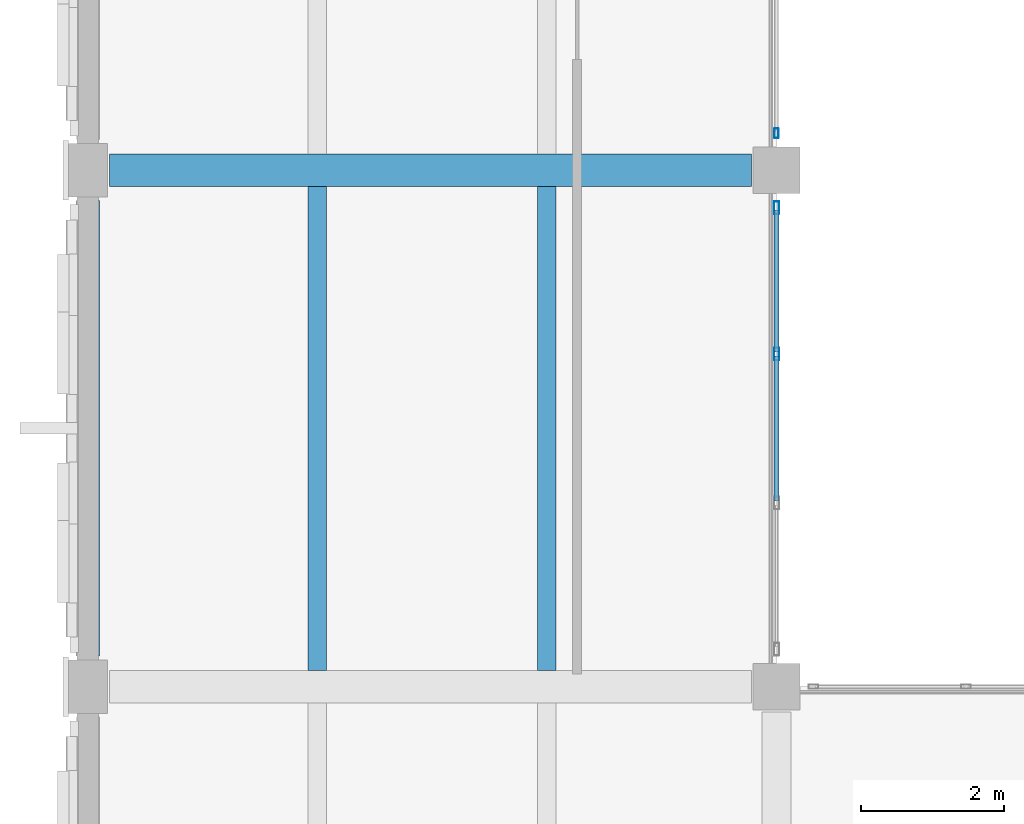
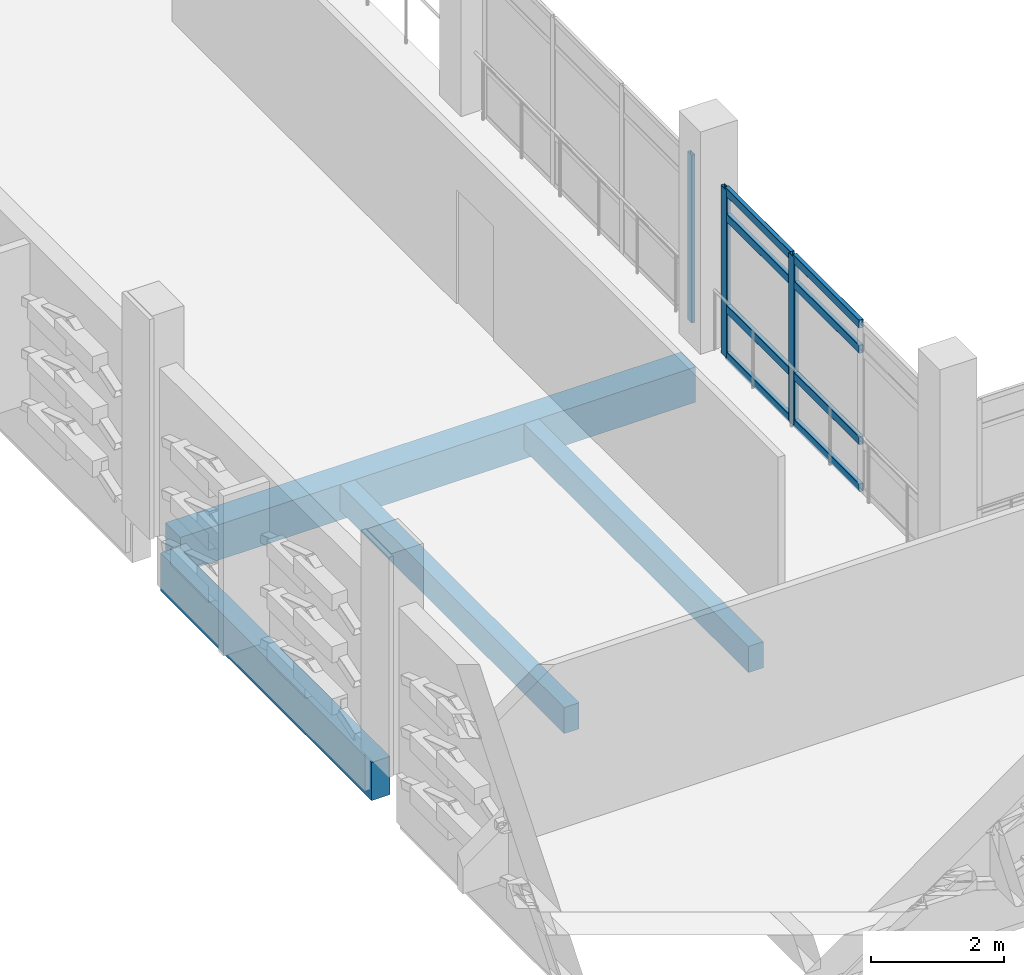
# One storey, part 21 of 72: 11 members, 4 beams, 2 elements without a shape of their own.
"""IFC4 building model written with IfcOpenShell, lengths in metres."""

import ifcopenshell
import ifcopenshell.guid

model = None  # the IFC model being written
_history = None  # IfcOwnerHistory: only IFC2X3 demands one
_inside = {}  # id of a spatial element -> (the spatial element, [elements in it])
_under = {}  # id of a project, library or spatial element -> (it, [spatial elements below it])
_declared = {}  # id of a project -> (the project, [libraries it declares])
_typed = {}  # id of a type object -> (the type object, [elements of that type])
_made_of = {}  # id of a material, layer set ... -> (it, [elements and type objects made of it])


def new_model(schema):
    """Start an empty IFC model of exactly this schema.

    Asked for "IFC4X3", IfcOpenShell would pick the latest addendum, in which some entities
    have other attributes; the version numbers below select the first issue.
    IFC2X3 requires an IfcOwnerHistory on every rooted entity: one is made here for all.
    """
    global model, _history
    if schema == "IFC4X3":
        model = ifcopenshell.file(schema_version=(4, 3, 0, 0))
    else:
        model = ifcopenshell.file(schema=schema)
    _inside.clear()
    _under.clear()
    _declared.clear()
    _typed.clear()
    _made_of.clear()
    _history = None
    if model.schema == "IFC2X3":
        org = make("IfcOrganization", Name="unknown")
        user = make(
            "IfcPersonAndOrganization",
            ThePerson=make("IfcPerson", FamilyName="unknown"),
            TheOrganization=org,
        )
        app = make(
            "IfcApplication",
            ApplicationDeveloper=org,
            Version="unknown",
            ApplicationFullName="unknown",
            ApplicationIdentifier="unknown",
        )
        _history = make(
            "IfcOwnerHistory",
            OwningUser=user,
            OwningApplication=app,
            ChangeAction="ADDED",
            CreationDate=0,
        )
    return model


def make(cls, **values):
    """One entity of the class cls with the attributes given. An attribute that is None is left unset."""
    return model.create_entity(
        cls, **{name: value for name, value in values.items() if value is not None}
    )


def rooted(cls, **values):
    """An entity with a GlobalId (a new one), such as an element, a storey or a relation."""
    return make(cls, GlobalId=ifcopenshell.guid.new(), OwnerHistory=_history, **values)


def si_unit(unit_type, name, prefix=None):
    """IfcSIUnit, for example si_unit("LENGTHUNIT", "METRE", prefix="MILLI")."""
    return make("IfcSIUnit", UnitType=unit_type, Prefix=prefix, Name=name)


def assignment(units):
    """IfcUnitAssignment: the units of a project."""
    return None if units is None else make("IfcUnitAssignment", Units=units)


def point(xyz):
    """IfcCartesianPoint."""
    return None if xyz is None else make("IfcCartesianPoint", Coordinates=xyz)


def direction(xyz):
    """IfcDirection."""
    return None if xyz is None else make("IfcDirection", DirectionRatios=xyz)


def frame(location, z_axis=None, x_axis=None):
    """IfcAxis2Placement3D, a coordinate frame: its origin and axes. An axis left out is left unset."""
    return make(
        "IfcAxis2Placement3D",
        Location=point(location),
        Axis=direction(z_axis),
        RefDirection=direction(x_axis),
    )


def frame_2d(location, x_axis=None):
    """IfcAxis2Placement2D, a coordinate frame in the plane: its origin and x axis."""
    return make(
        "IfcAxis2Placement2D", Location=point(location), RefDirection=direction(x_axis)
    )


def origin():
    """The frame at (0, 0, 0) with its axes left unset."""
    return frame((0.0, 0.0, 0.0))


def origin_2d():
    """The frame at (0, 0) in the plane with its x axis left unset."""
    return frame_2d((0.0, 0.0))


def place(relative_to, where):
    """IfcLocalPlacement: puts the frame where relative to a parent placement (None: the world)."""
    return make(
        "IfcLocalPlacement", PlacementRelTo=relative_to, RelativePlacement=where
    )


def context(
    kind, dimensions, precision=None, world=None, true_north=None, identifier=None
):
    """IfcGeometricRepresentationContext, for example the 3D "Model" context."""
    return make(
        "IfcGeometricRepresentationContext",
        ContextIdentifier=identifier,
        ContextType=kind,
        CoordinateSpaceDimension=dimensions,
        Precision=precision,
        WorldCoordinateSystem=world,
        TrueNorth=true_north,
    )


def subcontext(parent, identifier, kind, view, scale=None):
    """IfcGeometricRepresentationSubContext, for example "Body" below "Model"."""
    return make(
        "IfcGeometricRepresentationSubContext",
        ContextIdentifier=identifier,
        ContextType=kind,
        ParentContext=parent,
        TargetScale=scale,
        TargetView=view,
    )


def project(units=None, contexts=None):
    """IfcProject with its units and contexts."""
    return rooted(
        "IfcProject",
        Name="project",
        RepresentationContexts=contexts,
        UnitsInContext=assignment(units),
    )


def spatial(cls, under=None, at=None, **own):
    """A site, building, storey or space (cls), placed at a placement, below another one or the project."""
    s = rooted(cls, ObjectPlacement=at, **own)
    if under is not None:
        _under.setdefault(under.id(), (under, []))[1].append(s)
    return s


def profile(cls, at=None, kind="AREA", **sizes):
    """A parametric profile (cls). Its sizes go by their IFC names, for example OverallWidth=200.0."""
    return make(cls, ProfileType=kind, Position=at, **sizes)


def rectangle(**sizes):
    """IfcRectangleProfileDef."""
    return profile("IfcRectangleProfileDef", **sizes)


def hollow_rectangle(**sizes):
    """IfcRectangleHollowProfileDef."""
    return profile("IfcRectangleHollowProfileDef", **sizes)


def extrude(swept, where, along, depth):
    """IfcExtrudedAreaSolid: the profile swept, set in the frame where, extruded along a direction by depth."""
    return make(
        "IfcExtrudedAreaSolid",
        SweptArea=swept,
        Position=where,
        ExtrudedDirection=direction(along),
        Depth=depth,
    )


def shape(context_of_items, identifier, shape_type, items):
    """IfcShapeRepresentation: the items that make up one representation, for example the "Body"."""
    return make(
        "IfcShapeRepresentation",
        ContextOfItems=context_of_items,
        RepresentationIdentifier=identifier,
        RepresentationType=shape_type,
        Items=items,
    )


def material(Name=None, Category=None):
    """IfcMaterial."""
    return make("IfcMaterial", Name=Name, Category=Category)


def layer(
    of_material, thickness, ventilated=None, Name=None, Category=None, Priority=None
):
    """IfcMaterialLayer: one layer of a wall or slab, of a material (None: an air gap)."""
    return make(
        "IfcMaterialLayer",
        Material=of_material,
        LayerThickness=thickness,
        IsVentilated=ventilated,
        Name=Name,
        Category=Category,
        Priority=Priority,
    )


def layer_set(layers, Name=None):
    """IfcMaterialLayerSet."""
    return make("IfcMaterialLayerSet", MaterialLayers=layers, LayerSetName=Name)


def material_profile(
    of_material, cross_section, Name=None, Category=None, Priority=None
):
    """IfcMaterialProfile: a cross section and its material."""
    return make(
        "IfcMaterialProfile",
        Name=Name,
        Material=of_material,
        Profile=cross_section,
        Priority=Priority,
        Category=Category,
    )


def profile_set(profiles, Name=None, composite=None):
    """IfcMaterialProfileSet."""
    return make(
        "IfcMaterialProfileSet",
        Name=Name,
        MaterialProfiles=profiles,
        CompositeProfile=composite,
    )


def made_of(thing, what):
    """Note that an element or type object is made of a material, layer set ...; save() writes the relation."""
    if what is not None:
        _made_of.setdefault(what.id(), (what, []))[1].append(thing)
    return thing


def type_object(cls, material=None, **own):
    """A type object (cls), such as IfcWallType, which elements share."""
    return made_of(rooted(cls, **own), material)


def element(
    cls,
    number,
    at=None,
    inside=None,
    cuts=None,
    type_object=None,
    material=None,
    context=None,
    identifier="Body",
    shape_type=None,
    held_by="IfcProductDefinitionShape",
    body=None,
    shapes=None,
    **own,
):
    """One element of the class cls, such as IfcWall. Its Tag is "e" and its number.

    at: its placement. inside: the storey or other place that contains it. cuts: it is an
    opening in that element (IfcRelVoidsElement). A single representation is given by context,
    identifier, shape_type and body (its items); several are given by shapes. held_by: the class
    of the entity that holds the representations. save() writes the other relations.
    """
    e = rooted(cls, Tag="e%d" % number, ObjectPlacement=at, **own)
    if body is not None:
        shapes = [shape(context, identifier, shape_type, body)]
    if shapes is not None:
        e.Representation = make(held_by, Representations=shapes)
    if inside is not None:
        _inside.setdefault(inside.id(), (inside, []))[1].append(e)
    if cuts is not None:
        rooted(
            "IfcRelVoidsElement", RelatingBuildingElement=cuts, RelatedOpeningElement=e
        )
    if type_object is not None:
        _typed.setdefault(type_object.id(), (type_object, []))[1].append(e)
    return made_of(e, material)


def aggregate(whole, parts):
    """IfcRelAggregates: a whole, such as a stair, and the parts it consists of."""
    return rooted("IfcRelAggregates", RelatingObject=whole, RelatedObjects=parts)


def save(model, path):
    """Write the relations noted so far, then the file.

    IfcRelAggregates (storeys below a building ...), IfcRelContainedInSpatialStructure (elements
    in a storey), IfcRelDefinesByType, IfcRelAssociatesMaterial and IfcRelDeclares: one each for
    every whole, place, type object, material and project.
    """
    for whole, parts in _under.values():
        aggregate(whole, parts)
    for where, things in _inside.values():
        rooted(
            "IfcRelContainedInSpatialStructure",
            RelatedElements=things,
            RelatingStructure=where,
        )
    for kind, things in _typed.values():
        rooted("IfcRelDefinesByType", RelatedObjects=things, RelatingType=kind)
    for what, things in _made_of.values():
        rooted("IfcRelAssociatesMaterial", RelatedObjects=things, RelatingMaterial=what)
    for by, libraries in _declared.values():
        rooted("IfcRelDeclares", RelatingContext=by, RelatedDefinitions=libraries)
    model.write(path)


model = new_model("IFC4")

# Units and contexts
model_context = context("Model", 3, precision=1e-05, world=origin(), true_north=direction((0.0, 1.0)))
body_context = subcontext(model_context, "Body", "Model", "MODEL_VIEW")
ifc_project = project(units=[si_unit("LENGTHUNIT", "METRE"), si_unit("AREAUNIT", "SQUARE_METRE"), si_unit("VOLUMEUNIT", "CUBIC_METRE"), si_unit("PLANEANGLEUNIT", "RADIAN"), si_unit("MASSUNIT", "GRAM", prefix="KILO")], contexts=[model_context])

# Site, building, storey
site_placement = place(None, origin())
site = spatial("IfcSite", under=ifc_project, at=site_placement, CompositionType="ELEMENT")
building_placement = place(site_placement, origin())
building = spatial("IfcBuilding", under=site, at=building_placement, Name="Asteropetra Specialist Clinic", CompositionType="ELEMENT")
storey_placement = place(building_placement, frame((0.0, 0.0, 12.580078125)))
storey = spatial("IfcBuildingStorey", under=building, at=storey_placement, Name="L03", CompositionType="ELEMENT", Elevation=12.580078125)

# Beam
ifc_material_1 = material(Name="Concrete C35/45", Category="concrete")
ifc_material_profile_1 = material_profile(ifc_material_1, rectangle(XDim=0.449951171875, YDim=0.64990234375, at=origin_2d()), Name="RCB 450x650")
ifc_profile_set_1 = profile_set([ifc_material_profile_1], Name="Concrete C35/45")
beam_type_1 = type_object("IfcBeamType", Name="BM-RC450x650", PredefinedType="BEAM", material=ifc_profile_set_1)
beam_1_placement = place(storey_placement, frame((0.300048828125, 84.0, -0.60498046875), z_axis=(1.0, 0.0, 0.0), x_axis=(0.0, 1.0, 0.0)))
element("IfcBeam", 1, at=beam_1_placement, inside=storey, type_object=beam_type_1, Name="Beam BBM06-1575", PredefinedType="BEAM", context=body_context, shape_type="SweptSolid", body=[
    extrude(rectangle(XDim=0.449951171875, YDim=0.64990234375, at=origin_2d()), origin(), (0.0, 0.0, 1.0), 8.949951171875),
])

# Curtain wall, member
ifc_material_2 = material(Name="Aluminium and low-E glass", Category="aluminium")
ifc_layer_1 = layer(ifc_material_2, 0.14990234375)
ifc_layer_set_1 = layer_set([ifc_layer_1], Name="Aluminium and low-E glass")
curtain_wall_type_1 = type_object("IfcCurtainWallType", Name="CW-SYS-05", PredefinedType="USERDEFINED", material=ifc_layer_set_1)
curtain_wall_1_placement = place(storey_placement, origin())
curtain_wall_1 = element("IfcCurtainWall", 2, at=curtain_wall_1_placement, inside=storey, type_object=curtain_wall_type_1, Name="Curtain Wall CW-047", ObjectType="UNITISED CURTAIN WALL", PredefinedType="USERDEFINED")
ifc_material_3 = material(Name="Aluminium 6063-T6", Category="aluminium")
ifc_material_profile_2 = material_profile(ifc_material_3, hollow_rectangle(XDim=0.06005859375, YDim=0.135009765625, WallThickness=0.00341796875, InnerFilletRadius=0.00341796875, OuterFilletRadius=0.007080078125, at=origin_2d()), Name="MUL 135x60x3.5")
ifc_profile_set_2 = profile_set([ifc_material_profile_2], Name="Aluminium 6063-T6")
member_type_1 = type_object("IfcMemberType", Name="CWM-135x60", PredefinedType="MULLION", material=ifc_profile_set_2)
member_1_placement = place(storey_placement, frame((9.60009765625, 84.514892578125, 0.0), z_axis=(0.0, 0.0, 1.0), x_axis=(1.0, 0.0, 0.0)))
member_1 = element("IfcMember", 3, at=member_1_placement, type_object=member_type_1, Name="CW-047 mullion 4", PredefinedType="MULLION", context=body_context, shape_type="SweptSolid", body=[
    extrude(hollow_rectangle(XDim=0.06005859375, YDim=0.135009765625, WallThickness=0.00341796875, InnerFilletRadius=0.00341796875, OuterFilletRadius=0.007080078125, at=origin_2d()), origin(), (0.0, 0.0, 1.0), 3.079833984375),
])
aggregate(curtain_wall_1, [member_1])

# Curtain wall, members
ifc_material_4 = material(Name="Aluminium and low-E glass", Category="aluminium")
ifc_layer_2 = layer(ifc_material_4, 0.179931640625)
ifc_layer_set_2 = layer_set([ifc_layer_2], Name="Aluminium and low-E glass")
curtain_wall_type_2 = type_object("IfcCurtainWallType", Name="CW-SYS-04", PredefinedType="USERDEFINED", material=ifc_layer_set_2)
curtain_wall_2_placement = place(storey_placement, origin())
curtain_wall_2 = element("IfcCurtainWall", 4, at=curtain_wall_2_placement, inside=storey, type_object=curtain_wall_type_2, Name="Curtain Wall CW-045", ObjectType="UNITISED CURTAIN WALL", PredefinedType="USERDEFINED")
ifc_material_5 = material(Name="Aluminium 6063-T6", Category="aluminium")
ifc_material_profile_3 = material_profile(ifc_material_5, hollow_rectangle(XDim=0.074951171875, YDim=0.179931640625, WallThickness=0.00390625, InnerFilletRadius=0.00390625, OuterFilletRadius=0.008056640625, at=origin_2d()), Name="MUL 180x75x4.0")
ifc_profile_set_3 = profile_set([ifc_material_profile_3], Name="Aluminium 6063-T6")
member_type_2 = type_object("IfcMemberType", Name="CWM-180x75", PredefinedType="MULLION", material=ifc_profile_set_3)
member_2_placement = place(storey_placement, frame((9.60009765625, 83.4775390625, 0.0), z_axis=(0.0, 0.0, 1.0), x_axis=(1.0, 0.0, 0.0)))
member_2 = element("IfcMember", 5, at=member_2_placement, type_object=member_type_2, Name="CW-045 mullion 1", PredefinedType="MULLION", context=body_context, shape_type="SweptSolid", body=[
    extrude(hollow_rectangle(XDim=0.074951171875, YDim=0.179931640625, WallThickness=0.00390625, InnerFilletRadius=0.00390625, OuterFilletRadius=0.008056640625, at=origin_2d()), origin(), (0.0, 0.0, 1.0), 3.079833984375),
])
member_3_placement = place(storey_placement, frame((9.60009765625, 81.438232421875, 0.0), z_axis=(0.0, 0.0, 1.0), x_axis=(1.0, 0.0, 0.0)))
member_3 = element("IfcMember", 6, at=member_3_placement, type_object=member_type_2, Name="CW-045 mullion 2", PredefinedType="MULLION", context=body_context, shape_type="SweptSolid", body=[
    extrude(hollow_rectangle(XDim=0.074951171875, YDim=0.179931640625, WallThickness=0.00390625, InnerFilletRadius=0.00390625, OuterFilletRadius=0.008056640625, at=origin_2d()), origin(), (0.0, 0.0, 1.0), 3.079833984375),
])
ifc_material_6 = material(Name="Aluminium 6063-T6", Category="aluminium")
ifc_material_profile_4 = material_profile(ifc_material_6, hollow_rectangle(XDim=0.074951171875, YDim=0.14990234375, WallThickness=0.00390625, InnerFilletRadius=0.00390625, OuterFilletRadius=0.008056640625, at=origin_2d()), Name="TRN 150x75x4.0")
ifc_profile_set_4 = profile_set([ifc_material_profile_4], Name="Aluminium 6063-T6")
member_type_3 = type_object("IfcMemberType", Name="CWT-150x75", PredefinedType="USERDEFINED", material=ifc_profile_set_4)
member_4_placement = place(storey_placement, frame((9.60009765625, 83.43994140625, 0.037353515625), z_axis=(0.0, -1.0, 0.0), x_axis=(1.0, 0.0, 0.0)))
member_4 = element("IfcMember", 7, at=member_4_placement, type_object=member_type_3, Name="CW-045 transom 1.1", ObjectType="TRANSOM", PredefinedType="USERDEFINED", context=body_context, shape_type="SweptSolid", body=[
    extrude(hollow_rectangle(XDim=0.074951171875, YDim=0.14990234375, WallThickness=0.00390625, InnerFilletRadius=0.00390625, OuterFilletRadius=0.008056640625, at=origin_2d()), origin(), (0.0, 0.0, 1.0), 1.964111328125),
])
member_5_placement = place(storey_placement, frame((9.60009765625, 83.43994140625, 0.89990234375), z_axis=(0.0, -1.0, 0.0), x_axis=(1.0, 0.0, 0.0)))
member_5 = element("IfcMember", 8, at=member_5_placement, type_object=member_type_3, Name="CW-045 transom 1.2", ObjectType="TRANSOM", PredefinedType="USERDEFINED", context=body_context, shape_type="SweptSolid", body=[
    extrude(hollow_rectangle(XDim=0.074951171875, YDim=0.14990234375, WallThickness=0.00390625, InnerFilletRadius=0.00390625, OuterFilletRadius=0.008056640625, at=origin_2d()), origin(), (0.0, 0.0, 1.0), 1.964111328125),
])
member_6_placement = place(storey_placement, frame((9.60009765625, 83.43994140625, 2.579833984375), z_axis=(0.0, -1.0, 0.0), x_axis=(1.0, 0.0, 0.0)))
member_6 = element("IfcMember", 9, at=member_6_placement, type_object=member_type_3, Name="CW-045 transom 1.3", ObjectType="TRANSOM", PredefinedType="USERDEFINED", context=body_context, shape_type="SweptSolid", body=[
    extrude(hollow_rectangle(XDim=0.074951171875, YDim=0.14990234375, WallThickness=0.00390625, InnerFilletRadius=0.00390625, OuterFilletRadius=0.008056640625, at=origin_2d()), origin(), (0.0, 0.0, 1.0), 1.964111328125),
])
member_7_placement = place(storey_placement, frame((9.60009765625, 83.43994140625, 3.04248046875), z_axis=(0.0, -1.0, 0.0), x_axis=(1.0, 0.0, 0.0)))
member_7 = element("IfcMember", 10, at=member_7_placement, type_object=member_type_3, Name="CW-045 transom 1.4", ObjectType="TRANSOM", PredefinedType="USERDEFINED", context=body_context, shape_type="SweptSolid", body=[
    extrude(hollow_rectangle(XDim=0.074951171875, YDim=0.14990234375, WallThickness=0.00390625, InnerFilletRadius=0.00390625, OuterFilletRadius=0.008056640625, at=origin_2d()), origin(), (0.0, 0.0, 1.0), 1.964111328125),
])
member_8_placement = place(storey_placement, frame((9.60009765625, 81.40087890625, 0.037353515625), z_axis=(0.0, -1.0, 0.0), x_axis=(1.0, 0.0, 0.0)))
member_8 = element("IfcMember", 11, at=member_8_placement, type_object=member_type_3, Name="CW-045 transom 2.1", ObjectType="TRANSOM", PredefinedType="USERDEFINED", context=body_context, shape_type="SweptSolid", body=[
    extrude(hollow_rectangle(XDim=0.074951171875, YDim=0.14990234375, WallThickness=0.00390625, InnerFilletRadius=0.00390625, OuterFilletRadius=0.008056640625, at=origin_2d()), origin(), (0.0, 0.0, 1.0), 2.001708984375),
])
member_9_placement = place(storey_placement, frame((9.60009765625, 81.40087890625, 0.89990234375), z_axis=(0.0, -1.0, 0.0), x_axis=(1.0, 0.0, 0.0)))
member_9 = element("IfcMember", 12, at=member_9_placement, type_object=member_type_3, Name="CW-045 transom 2.2", ObjectType="TRANSOM", PredefinedType="USERDEFINED", context=body_context, shape_type="SweptSolid", body=[
    extrude(hollow_rectangle(XDim=0.074951171875, YDim=0.14990234375, WallThickness=0.00390625, InnerFilletRadius=0.00390625, OuterFilletRadius=0.008056640625, at=origin_2d()), origin(), (0.0, 0.0, 1.0), 2.001708984375),
])
member_10_placement = place(storey_placement, frame((9.60009765625, 81.40087890625, 2.579833984375), z_axis=(0.0, -1.0, 0.0), x_axis=(1.0, 0.0, 0.0)))
member_10 = element("IfcMember", 13, at=member_10_placement, type_object=member_type_3, Name="CW-045 transom 2.3", ObjectType="TRANSOM", PredefinedType="USERDEFINED", context=body_context, shape_type="SweptSolid", body=[
    extrude(hollow_rectangle(XDim=0.074951171875, YDim=0.14990234375, WallThickness=0.00390625, InnerFilletRadius=0.00390625, OuterFilletRadius=0.008056640625, at=origin_2d()), origin(), (0.0, 0.0, 1.0), 2.001708984375),
])
member_11_placement = place(storey_placement, frame((9.60009765625, 81.40087890625, 3.04248046875), z_axis=(0.0, -1.0, 0.0), x_axis=(1.0, 0.0, 0.0)))
member_11 = element("IfcMember", 14, at=member_11_placement, type_object=member_type_3, Name="CW-045 transom 2.4", ObjectType="TRANSOM", PredefinedType="USERDEFINED", context=body_context, shape_type="SweptSolid", body=[
    extrude(hollow_rectangle(XDim=0.074951171875, YDim=0.14990234375, WallThickness=0.00390625, InnerFilletRadius=0.00390625, OuterFilletRadius=0.008056640625, at=origin_2d()), origin(), (0.0, 0.0, 1.0), 2.001708984375),
])
aggregate(curtain_wall_2, [member_2, member_3, member_4, member_5, member_6, member_7, member_8, member_9, member_10, member_11])

# Beams
ifc_material_7 = material(Name="Concrete C35/45", Category="concrete")
ifc_material_profile_5 = material_profile(ifc_material_7, rectangle(XDim=0.260009765625, YDim=0.47998046875, at=origin_2d()), Name="RCJ 260x480")
ifc_profile_set_5 = profile_set([ifc_material_profile_5], Name="Concrete C35/45")
beam_type_2 = type_object("IfcBeamType", Name="JST-RC260x480", PredefinedType="JOIST", material=ifc_profile_set_5)
for number, where, z_axis, x_axis, name in (
    (15, (3.199951171875, 77.02490234375, -0.52001953125), (0.0, 1.0, 0.0), (-1.0, 0.0, 0.0), "Joist JJST02-1609"),
    (16, (6.39990234375, 77.02490234375, -0.52001953125), (0.0, 1.0, 0.0), (-1.0, 0.0, 0.0), "Joist JJST02-1610"),
):
    element("IfcBeam", number, at=place(storey_placement, frame(where, z_axis=z_axis, x_axis=x_axis)), inside=storey, type_object=beam_type_2, Name=name, PredefinedType="JOIST", context=body_context, shape_type="SweptSolid", body=[
        extrude(rectangle(XDim=0.260009765625, YDim=0.47998046875, at=origin_2d()), origin(), (0.0, 0.0, 1.0), 6.75),
    ])
ifc_material_8 = material(Name="Concrete C35/45", Category="concrete")
ifc_material_profile_6 = material_profile(ifc_material_8, rectangle(XDim=0.320068359375, YDim=0.699951171875, at=origin_2d()), Name="RCS 320x700")
ifc_profile_set_6 = profile_set([ifc_material_profile_6], Name="Concrete C35/45")
beam_type_3 = type_object("IfcBeamType", Name="SPN-RC320x700", PredefinedType="SPANDREL", material=ifc_profile_set_6)
beam_2_placement = place(storey_placement, frame((0.0, 77.22509765625, -0.630126953125), z_axis=(0.0, 1.0, 0.0), x_axis=(-1.0, 0.0, 0.0)))
element("IfcBeam", 17, at=beam_2_placement, inside=storey, type_object=beam_type_3, Name="Beam BSPN02-1606", PredefinedType="SPANDREL", context=body_context, shape_type="SweptSolid", body=[
    extrude(rectangle(XDim=0.320068359375, YDim=0.699951171875, at=origin_2d()), origin(), (0.0, 0.0, 1.0), 6.349853515625),
])

save(model, "model.ifc")
